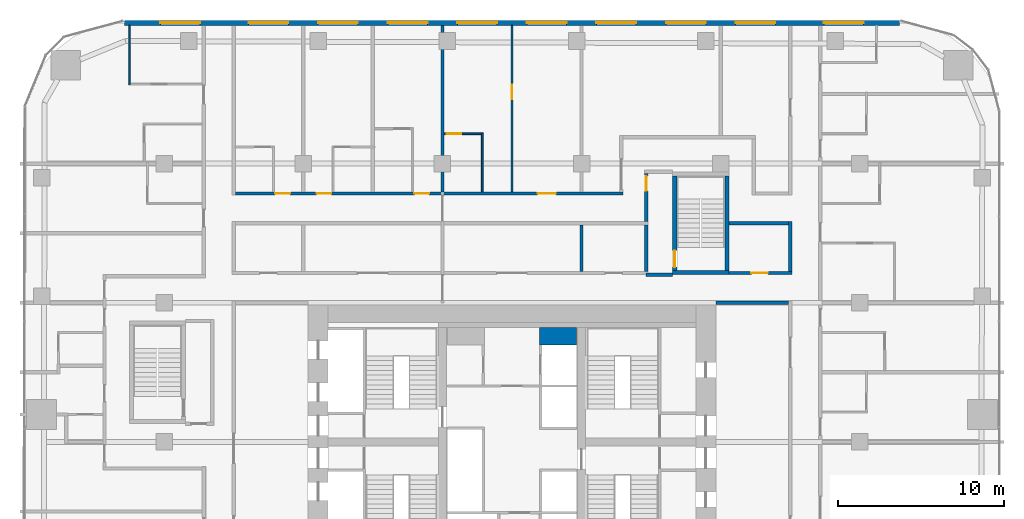
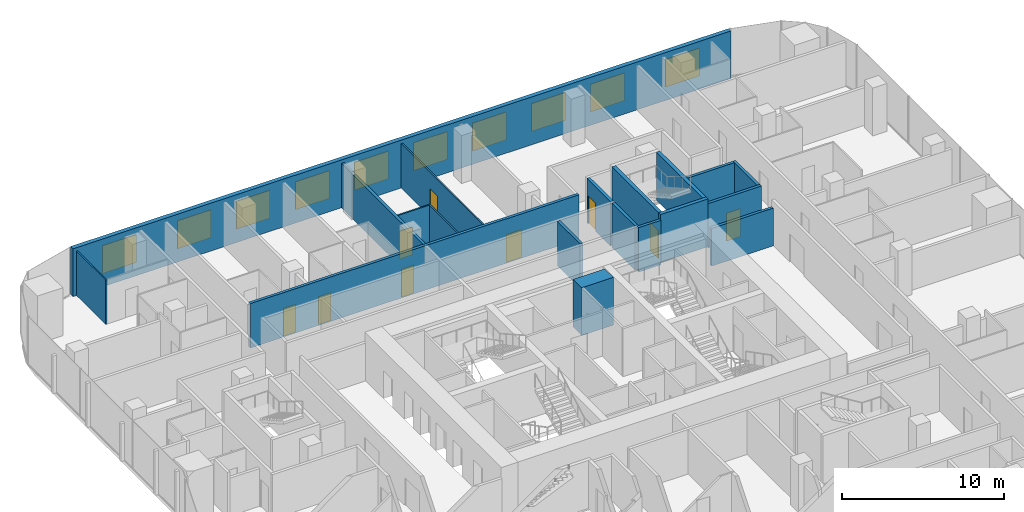
# One storey, part 22 of 26: 19 walls, 10 windows, 9 doors, 19 openings.
"""IFC4 building model written with IfcOpenShell, lengths in metres."""

from ifc_helpers import new_model, si_unit, direction, frame, frame_2d, origin, place, context, subcontext, project, spatial, rectangle, extrude, material, layer, layer_set, type_object, element, fill, save


model = new_model("IFC4")

# Units and contexts
model_context = context("Model", 3, precision=1e-05, world=origin(), true_north=direction((0.0, 1.0)))
body_context = subcontext(model_context, "Body", "Model", "MODEL_VIEW")
ifc_project = project(units=[si_unit("LENGTHUNIT", "METRE"), si_unit("AREAUNIT", "SQUARE_METRE"), si_unit("VOLUMEUNIT", "CUBIC_METRE"), si_unit("PLANEANGLEUNIT", "RADIAN"), si_unit("MASSUNIT", "GRAM", prefix="KILO")], contexts=[model_context])

# Site, building, storey
site_placement = place(None, origin())
site = spatial("IfcSite", under=ifc_project, at=site_placement, CompositionType="ELEMENT")
building_placement = place(site_placement, origin())
building = spatial("IfcBuilding", under=site, at=building_placement, Name="Marenta Gate Hotel Tower", CompositionType="ELEMENT")
storey_placement = place(building_placement, frame((0.0, 0.0, 43.699951171875)))
storey = spatial("IfcBuildingStorey", under=building, at=storey_placement, Name="L08", CompositionType="ELEMENT", Elevation=43.699951171875)

# Wall, openings, windows
ifc_material_1 = material(Name="Concrete C40 board-marked", Category="concrete")
ifc_layer_1 = layer(ifc_material_1, 0.300048828125)
ifc_layer_set_1 = layer_set([ifc_layer_1], Name="Concrete C40 board-marked")
wall_type_1 = type_object("IfcWallType", Name="Board-marked concrete wall 300 mm", PredefinedType="NOTDEFINED", material=ifc_layer_set_1)
wall_1_placement = place(storey_placement, frame((23.406005859375, 33.68994140625, 0.0), z_axis=(0.0, 0.0, 1.0), x_axis=(-1.0, 0.0, 0.0)))
wall_1 = element("IfcWall", 1, at=wall_1_placement, inside=storey, type_object=wall_type_1, Name="L08-CLD-N00", PredefinedType="NOTDEFINED", context=body_context, shape_type="SweptSolid", body=[
    extrude(rectangle(XDim=46.81201171875, YDim=0.300048828125, at=frame_2d((23.406005859375, 0.0))), origin(), (0.0, 0.0, 1.0), 3.60009765625),
])
opening_1_placement = place(wall_1_placement, frame((2.185791015625, 0.0, 0.89990234375)))
opening_1 = element("IfcOpeningElement", 2, at=opening_1_placement, cuts=wall_1, Name="Opening W1", PredefinedType="OPENING", context=body_context, shape_type="SweptSolid", body=[
    extrude(rectangle(XDim=2.39990234375, YDim=2.10009765625, at=frame_2d((1.199951171875, 1.050048828125))), frame((0.0, 0.14990234375, 0.0), z_axis=(0.0, -1.0, 0.0), x_axis=(1.0, 0.0, 0.0)), (0.0, 0.0, 1.0), 0.300048828125),
])
opening_2_placement = place(wall_1_placement, frame((7.505859375, 0.0, 0.89990234375)))
opening_2 = element("IfcOpeningElement", 3, at=opening_2_placement, cuts=wall_1, Name="Opening W1", PredefinedType="OPENING", context=body_context, shape_type="SweptSolid", body=[
    extrude(rectangle(XDim=2.39990234375, YDim=2.10009765625, at=frame_2d((1.199951171875, 1.050048828125))), frame((0.0, 0.14990234375, 0.0), z_axis=(0.0, -1.0, 0.0), x_axis=(1.0, 0.0, 0.0)), (0.0, 0.0, 1.0), 0.300048828125),
])
opening_3_placement = place(wall_1_placement, frame((11.705810546875, 0.0, 0.89990234375)))
opening_3 = element("IfcOpeningElement", 4, at=opening_3_placement, cuts=wall_1, Name="Opening W1", PredefinedType="OPENING", context=body_context, shape_type="SweptSolid", body=[
    extrude(rectangle(XDim=2.39990234375, YDim=2.10009765625, at=frame_2d((1.199951171875, 1.050048828125))), frame((0.0, 0.14990234375, 0.0), z_axis=(0.0, -1.0, 0.0), x_axis=(1.0, 0.0, 0.0)), (0.0, 0.0, 1.0), 0.300048828125),
])
opening_4_placement = place(wall_1_placement, frame((15.906005859375, 0.0, 0.89990234375)))
opening_4 = element("IfcOpeningElement", 5, at=opening_4_placement, cuts=wall_1, Name="Opening W1", PredefinedType="OPENING", context=body_context, shape_type="SweptSolid", body=[
    extrude(rectangle(XDim=2.39990234375, YDim=2.10009765625, at=frame_2d((1.199951171875, 1.050048828125))), frame((0.0, 0.14990234375, 0.0), z_axis=(0.0, -1.0, 0.0), x_axis=(1.0, 0.0, 0.0)), (0.0, 0.0, 1.0), 0.300048828125),
])
opening_5_placement = place(wall_1_placement, frame((20.10595703125, 0.0, 0.89990234375)))
opening_5 = element("IfcOpeningElement", 6, at=opening_5_placement, cuts=wall_1, Name="Opening W1", PredefinedType="OPENING", context=body_context, shape_type="SweptSolid", body=[
    extrude(rectangle(XDim=2.39990234375, YDim=2.10009765625, at=frame_2d((1.199951171875, 1.050048828125))), frame((0.0, 0.14990234375, 0.0), z_axis=(0.0, -1.0, 0.0), x_axis=(1.0, 0.0, 0.0)), (0.0, 0.0, 1.0), 0.300048828125),
])
opening_6_placement = place(wall_1_placement, frame((24.305908203125, 0.0, 0.89990234375)))
opening_6 = element("IfcOpeningElement", 7, at=opening_6_placement, cuts=wall_1, Name="Opening W1", PredefinedType="OPENING", context=body_context, shape_type="SweptSolid", body=[
    extrude(rectangle(XDim=2.39990234375, YDim=2.10009765625, at=frame_2d((1.199951171875, 1.050048828125))), frame((0.0, 0.14990234375, 0.0), z_axis=(0.0, -1.0, 0.0), x_axis=(1.0, 0.0, 0.0)), (0.0, 0.0, 1.0), 0.300048828125),
])
opening_7_placement = place(wall_1_placement, frame((28.505859375, 0.0, 0.89990234375)))
opening_7 = element("IfcOpeningElement", 8, at=opening_7_placement, cuts=wall_1, Name="Opening W1", PredefinedType="OPENING", context=body_context, shape_type="SweptSolid", body=[
    extrude(rectangle(XDim=2.39990234375, YDim=2.10009765625, at=frame_2d((1.199951171875, 1.050048828125))), frame((0.0, 0.14990234375, 0.0), z_axis=(0.0, -1.0, 0.0), x_axis=(1.0, 0.0, 0.0)), (0.0, 0.0, 1.0), 0.300048828125),
])
opening_8_placement = place(wall_1_placement, frame((32.705810546875, 0.0, 0.89990234375)))
opening_8 = element("IfcOpeningElement", 9, at=opening_8_placement, cuts=wall_1, Name="Opening W1", PredefinedType="OPENING", context=body_context, shape_type="SweptSolid", body=[
    extrude(rectangle(XDim=2.39990234375, YDim=2.10009765625, at=frame_2d((1.199951171875, 1.050048828125))), frame((0.0, 0.14990234375, 0.0), z_axis=(0.0, -1.0, 0.0), x_axis=(1.0, 0.0, 0.0)), (0.0, 0.0, 1.0), 0.300048828125),
])
opening_9_placement = place(wall_1_placement, frame((36.906005859375, 0.0, 0.89990234375)))
opening_9 = element("IfcOpeningElement", 10, at=opening_9_placement, cuts=wall_1, Name="Opening W1", PredefinedType="OPENING", context=body_context, shape_type="SweptSolid", body=[
    extrude(rectangle(XDim=2.39990234375, YDim=2.10009765625, at=frame_2d((1.199951171875, 1.050048828125))), frame((0.0, 0.14990234375, 0.0), z_axis=(0.0, -1.0, 0.0), x_axis=(1.0, 0.0, 0.0)), (0.0, 0.0, 1.0), 0.300048828125),
])
opening_10_placement = place(wall_1_placement, frame((42.225830078125, 0.0, 0.89990234375)))
opening_10 = element("IfcOpeningElement", 11, at=opening_10_placement, cuts=wall_1, Name="Opening W1", PredefinedType="OPENING", context=body_context, shape_type="SweptSolid", body=[
    extrude(rectangle(XDim=2.39990234375, YDim=2.10009765625, at=frame_2d((1.199951171875, 1.050048828125))), frame((0.0, 0.14990234375, 0.0), z_axis=(0.0, -1.0, 0.0), x_axis=(1.0, 0.0, 0.0)), (0.0, 0.0, 1.0), 0.300048828125),
])
ifc_material_2 = material(Name="Tinted insulated glass in bronze anodised frame", Category="glass")
window_type = type_object("IfcWindowType", Name="Window W1 2400x2100 bronze frame", PartitioningType="SINGLE_PANEL", PredefinedType="WINDOW", material=ifc_material_2)
window_1_placement = place(opening_1_placement, origin())
window_1 = element("IfcWindow", 12, at=window_1_placement, inside=storey, type_object=window_type, Name="Window W1", OverallHeight=2.10009765625, OverallWidth=2.39990234375, PartitioningType="SINGLE_PANEL", PredefinedType="WINDOW", context=body_context, shape_type="SweptSolid", body=[
    extrude(rectangle(XDim=2.39990234375, YDim=2.10009765625, at=frame_2d((1.199951171875, 1.050048828125))), frame((0.0, 0.030029296875, 0.0), z_axis=(0.0, -1.0, 0.0), x_axis=(1.0, 0.0, 0.0)), (0.0, 0.0, 1.0), 0.06005859375),
])
fill(opening_1, window_1)
window_2_placement = place(opening_2_placement, origin())
window_2 = element("IfcWindow", 13, at=window_2_placement, inside=storey, type_object=window_type, Name="Window W1", OverallHeight=2.10009765625, OverallWidth=2.39990234375, PartitioningType="SINGLE_PANEL", PredefinedType="WINDOW", context=body_context, shape_type="SweptSolid", body=[
    extrude(rectangle(XDim=2.39990234375, YDim=2.10009765625, at=frame_2d((1.199951171875, 1.050048828125))), frame((0.0, 0.030029296875, 0.0), z_axis=(0.0, -1.0, 0.0), x_axis=(1.0, 0.0, 0.0)), (0.0, 0.0, 1.0), 0.06005859375),
])
fill(opening_2, window_2)
window_3_placement = place(opening_3_placement, origin())
window_3 = element("IfcWindow", 14, at=window_3_placement, inside=storey, type_object=window_type, Name="Window W1", OverallHeight=2.10009765625, OverallWidth=2.39990234375, PartitioningType="SINGLE_PANEL", PredefinedType="WINDOW", context=body_context, shape_type="SweptSolid", body=[
    extrude(rectangle(XDim=2.39990234375, YDim=2.10009765625, at=frame_2d((1.199951171875, 1.050048828125))), frame((0.0, 0.030029296875, 0.0), z_axis=(0.0, -1.0, 0.0), x_axis=(1.0, 0.0, 0.0)), (0.0, 0.0, 1.0), 0.06005859375),
])
fill(opening_3, window_3)
window_4_placement = place(opening_4_placement, origin())
window_4 = element("IfcWindow", 15, at=window_4_placement, inside=storey, type_object=window_type, Name="Window W1", OverallHeight=2.10009765625, OverallWidth=2.39990234375, PartitioningType="SINGLE_PANEL", PredefinedType="WINDOW", context=body_context, shape_type="SweptSolid", body=[
    extrude(rectangle(XDim=2.39990234375, YDim=2.10009765625, at=frame_2d((1.199951171875, 1.050048828125))), frame((0.0, 0.030029296875, 0.0), z_axis=(0.0, -1.0, 0.0), x_axis=(1.0, 0.0, 0.0)), (0.0, 0.0, 1.0), 0.06005859375),
])
fill(opening_4, window_4)
window_5_placement = place(opening_5_placement, origin())
window_5 = element("IfcWindow", 16, at=window_5_placement, inside=storey, type_object=window_type, Name="Window W1", OverallHeight=2.10009765625, OverallWidth=2.39990234375, PartitioningType="SINGLE_PANEL", PredefinedType="WINDOW", context=body_context, shape_type="SweptSolid", body=[
    extrude(rectangle(XDim=2.39990234375, YDim=2.10009765625, at=frame_2d((1.199951171875, 1.050048828125))), frame((0.0, 0.030029296875, 0.0), z_axis=(0.0, -1.0, 0.0), x_axis=(1.0, 0.0, 0.0)), (0.0, 0.0, 1.0), 0.06005859375),
])
fill(opening_5, window_5)
window_6_placement = place(opening_6_placement, origin())
window_6 = element("IfcWindow", 17, at=window_6_placement, inside=storey, type_object=window_type, Name="Window W1", OverallHeight=2.10009765625, OverallWidth=2.39990234375, PartitioningType="SINGLE_PANEL", PredefinedType="WINDOW", context=body_context, shape_type="SweptSolid", body=[
    extrude(rectangle(XDim=2.39990234375, YDim=2.10009765625, at=frame_2d((1.199951171875, 1.050048828125))), frame((0.0, 0.030029296875, 0.0), z_axis=(0.0, -1.0, 0.0), x_axis=(1.0, 0.0, 0.0)), (0.0, 0.0, 1.0), 0.06005859375),
])
fill(opening_6, window_6)
window_7_placement = place(opening_7_placement, origin())
window_7 = element("IfcWindow", 18, at=window_7_placement, inside=storey, type_object=window_type, Name="Window W1", OverallHeight=2.10009765625, OverallWidth=2.39990234375, PartitioningType="SINGLE_PANEL", PredefinedType="WINDOW", context=body_context, shape_type="SweptSolid", body=[
    extrude(rectangle(XDim=2.39990234375, YDim=2.10009765625, at=frame_2d((1.199951171875, 1.050048828125))), frame((0.0, 0.030029296875, 0.0), z_axis=(0.0, -1.0, 0.0), x_axis=(1.0, 0.0, 0.0)), (0.0, 0.0, 1.0), 0.06005859375),
])
fill(opening_7, window_7)
window_8_placement = place(opening_8_placement, origin())
window_8 = element("IfcWindow", 19, at=window_8_placement, inside=storey, type_object=window_type, Name="Window W1", OverallHeight=2.10009765625, OverallWidth=2.39990234375, PartitioningType="SINGLE_PANEL", PredefinedType="WINDOW", context=body_context, shape_type="SweptSolid", body=[
    extrude(rectangle(XDim=2.39990234375, YDim=2.10009765625, at=frame_2d((1.199951171875, 1.050048828125))), frame((0.0, 0.030029296875, 0.0), z_axis=(0.0, -1.0, 0.0), x_axis=(1.0, 0.0, 0.0)), (0.0, 0.0, 1.0), 0.06005859375),
])
fill(opening_8, window_8)
window_9_placement = place(opening_9_placement, origin())
window_9 = element("IfcWindow", 20, at=window_9_placement, inside=storey, type_object=window_type, Name="Window W1", OverallHeight=2.10009765625, OverallWidth=2.39990234375, PartitioningType="SINGLE_PANEL", PredefinedType="WINDOW", context=body_context, shape_type="SweptSolid", body=[
    extrude(rectangle(XDim=2.39990234375, YDim=2.10009765625, at=frame_2d((1.199951171875, 1.050048828125))), frame((0.0, 0.030029296875, 0.0), z_axis=(0.0, -1.0, 0.0), x_axis=(1.0, 0.0, 0.0)), (0.0, 0.0, 1.0), 0.06005859375),
])
fill(opening_9, window_9)
window_10_placement = place(opening_10_placement, origin())
window_10 = element("IfcWindow", 21, at=window_10_placement, inside=storey, type_object=window_type, Name="Window W1", OverallHeight=2.10009765625, OverallWidth=2.39990234375, PartitioningType="SINGLE_PANEL", PredefinedType="WINDOW", context=body_context, shape_type="SweptSolid", body=[
    extrude(rectangle(XDim=2.39990234375, YDim=2.10009765625, at=frame_2d((1.199951171875, 1.050048828125))), frame((0.0, 0.030029296875, 0.0), z_axis=(0.0, -1.0, 0.0), x_axis=(1.0, 0.0, 0.0)), (0.0, 0.0, 1.0), 0.06005859375),
])
fill(opening_10, window_10)

# Walls
ifc_material_3 = material(Name="Concrete blockwork", Category="masonry")
ifc_layer_2 = layer(ifc_material_3, 0.199951171875)
ifc_layer_set_2 = layer_set([ifc_layer_2], Name="Concrete blockwork")
wall_type_2 = type_object("IfcWallType", Name="Compartment wall 200 REI 180", PredefinedType="PARTITIONING", material=ifc_layer_set_2)
wall_2_placement = place(storey_placement, frame((-4.199951171875, 23.5, 0.0), z_axis=(0.0, 0.0, 1.0), x_axis=(0.0, 1.0, 0.0)))
element("IfcWall", 22, at=wall_2_placement, inside=storey, type_object=wall_type_2, Name="L08-PTN-W079", PredefinedType="PARTITIONING", context=body_context, shape_type="SweptSolid", body=[
    extrude(rectangle(XDim=10.0400390625, YDim=0.199951171875, at=frame_2d((5.02001953125, 0.0))), origin(), (0.0, 0.0, 1.0), 3.340087890625),
])
ifc_material_4 = material(Name="Concrete blockwork", Category="masonry")
ifc_layer_3 = layer(ifc_material_4, 0.199951171875)
ifc_layer_set_3 = layer_set([ifc_layer_3], Name="Concrete blockwork")
wall_type_3 = type_object("IfcWallType", Name="Core boundary wall 200 REI 180", PredefinedType="PARTITIONING", material=ifc_layer_set_3)
wall_3_placement = place(storey_placement, frame((12.300048828125, 16.800048828125, 0.0), z_axis=(0.0, 0.0, 1.0), x_axis=(1.0, 0.0, 0.0)))
element("IfcWall", 23, at=wall_3_placement, inside=storey, type_object=wall_type_3, Name="L08-CP-EW-EN", PredefinedType="PARTITIONING", context=body_context, shape_type="SweptSolid", body=[
    extrude(rectangle(XDim=4.39990234375, YDim=0.199951171875, at=frame_2d((2.199951171875, 0.0))), origin(), (0.0, 0.0, 1.0), 2.840087890625),
])
ifc_material_5 = material(Name="Concrete C40", Category="concrete")
ifc_layer_4 = layer(ifc_material_5, 1.050048828125)
ifc_layer_set_4 = layer_set([ifc_layer_4], Name="Concrete C40")
wall_type_4 = type_object("IfcWallType", Name="Core shaft wall 1050 REI 180", PredefinedType="SHEAR", material=ifc_layer_set_4)
wall_4_placement = place(storey_placement, frame((1.64990234375, 14.77490234375, 0.0), z_axis=(0.0, 0.0, 1.0), x_axis=(1.0, 0.0, 0.0)))
element("IfcWall", 24, at=wall_4_placement, inside=storey, type_object=wall_type_4, Name="L08-SHF-CE-N-top", PredefinedType="SHEAR", context=body_context, shape_type="SweptSolid", body=[
    extrude(rectangle(XDim=2.25, YDim=1.050048828125, at=frame_2d((1.125, 0.0))), origin(), (0.0, 0.0, 1.0), 3.60009765625),
])
ifc_material_6 = material(Name="Concrete C40", Category="concrete")
ifc_layer_5 = layer(ifc_material_6, 0.25)
ifc_layer_set_5 = layer_set([ifc_layer_5], Name="Concrete C40")
wall_type_5 = type_object("IfcWallType", Name="Remote stair enclosure wall 250 REI 180", PredefinedType="SHEAR", material=ifc_layer_set_5)
wall_5_placement = place(storey_placement, frame((9.699951171875, 18.625, 0.10009765625), z_axis=(0.0, 0.0, 1.0), x_axis=(1.0, 0.0, 0.0)))
element("IfcWall", 25, at=wall_5_placement, inside=storey, type_object=wall_type_5, Name="L08-RS-Z1-4-W1", PredefinedType="SHEAR", context=body_context, shape_type="SweptSolid", body=[
    extrude(rectangle(XDim=3.400146484375, YDim=0.25, at=frame_2d((1.7001953125, 0.0))), origin(), (0.0, 0.0, 1.0), 3.599853515625),
])

# Wall, opening, door
wall_6_placement = place(storey_placement, frame((9.824951171875, 18.75, 0.10009765625), z_axis=(0.0, 0.0, 1.0), x_axis=(0.0, 1.0, 0.0)))
wall_6 = element("IfcWall", 26, at=wall_6_placement, inside=storey, type_object=wall_type_5, Name="L08-RS-Z1-4-W3", PredefinedType="SHEAR", context=body_context, shape_type="SweptSolid", body=[
    extrude(rectangle(XDim=5.699951171875, YDim=0.25, at=frame_2d((2.85009765625, 0.0))), origin(), (0.0, 0.0, 1.0), 3.599853515625),
])
opening_11_placement = place(wall_6_placement, frame((0.199951171875, 0.0, 0.0)))
opening_11 = element("IfcOpeningElement", 27, at=opening_11_placement, cuts=wall_6, Name="Opening VD", PredefinedType="OPENING", context=body_context, shape_type="SweptSolid", body=[
    extrude(rectangle(XDim=1.0, YDim=2.10009765625, at=frame_2d((0.5, 1.050048828125))), frame((0.0, 0.125, 0.0), z_axis=(0.0, -1.0, 0.0), x_axis=(1.0, 0.0, 0.0)), (0.0, 0.0, 1.0), 0.25),
])
ifc_material_7 = material(Name="Steel", Category="steel")
door_type_1 = type_object("IfcDoorType", Name="Stair vestibule door 1000x2100 FD60", OperationType="SINGLE_SWING_LEFT", PredefinedType="DOOR", material=ifc_material_7)
door_1_placement = place(opening_11_placement, origin())
door_1 = element("IfcDoor", 28, at=door_1_placement, inside=storey, type_object=door_type_1, Name="VD", OperationType="SINGLE_SWING_LEFT", OverallHeight=2.10009765625, OverallWidth=1.0, PredefinedType="DOOR", context=body_context, shape_type="SweptSolid", body=[
    extrude(rectangle(XDim=1.0, YDim=2.10009765625, at=frame_2d((0.5, 1.050048828125))), frame((0.0, 0.02490234375, 0.0), z_axis=(0.0, -1.0, 0.0), x_axis=(1.0, 0.0, 0.0)), (0.0, 0.0, 1.0), 0.050048828125),
])
fill(opening_11, door_1)

# Walls
wall_7_placement = place(storey_placement, frame((12.97509765625, 18.75, 0.10009765625), z_axis=(0.0, 0.0, 1.0), x_axis=(0.0, 1.0, 0.0)))
element("IfcWall", 29, at=wall_7_placement, inside=storey, type_object=wall_type_5, Name="L08-RS-Z1-4-W4", PredefinedType="SHEAR", context=body_context, shape_type="SweptSolid", body=[
    extrude(rectangle(XDim=5.699951171875, YDim=0.25, at=frame_2d((2.85009765625, 0.0))), origin(), (0.0, 0.0, 1.0), 3.599853515625),
])
ifc_material_8 = material(Name="Gypsum board on steel stud", Category="steel")
ifc_layer_6 = layer(ifc_material_8, 0.199951171875)
ifc_layer_set_6 = layer_set([ifc_layer_6], Name="Gypsum board on steel stud")
wall_type_6 = type_object("IfcWallType", Name="Room corridor wall 200 EI 60", PredefinedType="PARTITIONING", material=ifc_layer_set_6)
wall_8_placement = place(storey_placement, frame((16.800048828125, 18.699951171875, 0.0), z_axis=(0.0, 0.0, 1.0), x_axis=(0.0, 1.0, 0.0)))
element("IfcWall", 30, at=wall_8_placement, inside=storey, type_object=wall_type_6, Name="L08-PTN-W015", PredefinedType="PARTITIONING", context=body_context, shape_type="SweptSolid", body=[
    extrude(rectangle(XDim=3.0, YDim=0.199951171875, at=frame_2d((1.5, 0.0))), origin(), (0.0, 0.0, 1.0), 3.340087890625),
])

# Wall, opening, door
wall_9_placement = place(storey_placement, frame((13.10009765625, 18.60009765625, 0.0), z_axis=(0.0, 0.0, 1.0), x_axis=(1.0, 0.0, 0.0)))
wall_9 = element("IfcWall", 31, at=wall_9_placement, inside=storey, type_object=wall_type_6, Name="L08-PTN-W122", PredefinedType="PARTITIONING", context=body_context, shape_type="SweptSolid", body=[
    extrude(rectangle(XDim=3.7998046875, YDim=0.199951171875, at=frame_2d((1.89990234375, 0.0))), origin(), (0.0, 0.0, 1.0), 3.340087890625),
])
opening_12_placement = place(wall_9_placement, frame((1.35009765625, 0.0, 0.0)))
opening_12 = element("IfcOpeningElement", 32, at=opening_12_placement, cuts=wall_9, Name="Opening G02-05", PredefinedType="OPENING", context=body_context, shape_type="SweptSolid", body=[
    extrude(rectangle(XDim=1.0, YDim=2.10009765625, at=frame_2d((0.5, 1.050048828125))), frame((0.0, 0.10009765625, 0.0), z_axis=(0.0, -1.0, 0.0), x_axis=(1.0, 0.0, 0.0)), (0.0, 0.0, 1.0), 0.199951171875),
])
ifc_material_9 = material(Name="Timber door leaf", Category="wood")
door_type_2 = type_object("IfcDoorType", Name="Room amenity door 1000x2100 EI 30", OperationType="NOTDEFINED", PredefinedType="DOOR", material=ifc_material_9)
door_2_placement = place(opening_12_placement, origin())
door_2 = element("IfcDoor", 33, at=door_2_placement, inside=storey, type_object=door_type_2, Name="L08-PD-D005", OperationType="SINGLE_SWING_LEFT", OverallHeight=2.10009765625, OverallWidth=1.0, PredefinedType="DOOR", context=body_context, shape_type="SweptSolid", body=[
    extrude(rectangle(XDim=1.0, YDim=2.10009765625, at=frame_2d((0.5, 1.050048828125))), frame((0.0, 0.02490234375, 0.0), z_axis=(0.0, -1.0, 0.0), x_axis=(1.0, 0.0, 0.0)), (0.0, 0.0, 1.0), 0.050048828125),
])
fill(opening_12, door_2)

# Wall
wall_10_placement = place(storey_placement, frame((13.10009765625, 21.60009765625, 0.0), z_axis=(0.0, 0.0, 1.0), x_axis=(1.0, 0.0, 0.0)))
element("IfcWall", 34, at=wall_10_placement, inside=storey, type_object=wall_type_6, Name="L08-PTN-W127", PredefinedType="PARTITIONING", context=body_context, shape_type="SweptSolid", body=[
    extrude(rectangle(XDim=3.599853515625, YDim=0.199951171875, at=frame_2d((1.7998046875, 0.0))), origin(), (0.0, 0.0, 1.0), 3.340087890625),
])

# Wall, openings, doors
wall_11_placement = place(storey_placement, frame((-16.699951171875, 23.39990234375, 0.0), z_axis=(0.0, 0.0, 1.0), x_axis=(1.0, 0.0, 0.0)))
wall_11 = element("IfcWall", 35, at=wall_11_placement, inside=storey, type_object=wall_type_6, Name="L08-PTN-W137", PredefinedType="PARTITIONING", context=body_context, shape_type="SweptSolid", body=[
    extrude(rectangle(XDim=23.39990234375, YDim=0.199951171875, at=frame_2d((11.699951171875, 0.0))), origin(), (0.0, 0.0, 1.0), 3.340087890625),
])
opening_13_placement = place(wall_11_placement, frame((2.39990234375, 0.0, 0.0)))
opening_13 = element("IfcOpeningElement", 36, at=opening_13_placement, cuts=wall_11, Name="Opening G02-30", PredefinedType="OPENING", context=body_context, shape_type="SweptSolid", body=[
    extrude(rectangle(XDim=0.89990234375, YDim=2.10009765625, at=frame_2d((0.449951171875, 1.050048828125))), frame((0.0, 0.10009765625, 0.0), z_axis=(0.0, -1.0, 0.0), x_axis=(1.0, 0.0, 0.0)), (0.0, 0.0, 1.0), 0.199951171875),
])
opening_14_placement = place(wall_11_placement, frame((4.89990234375, 0.0, 0.0)))
opening_14 = element("IfcOpeningElement", 37, at=opening_14_placement, cuts=wall_11, Name="Opening G02-32", PredefinedType="OPENING", context=body_context, shape_type="SweptSolid", body=[
    extrude(rectangle(XDim=0.89990234375, YDim=2.10009765625, at=frame_2d((0.449951171875, 1.050048828125))), frame((0.0, 0.10009765625, 0.0), z_axis=(0.0, -1.0, 0.0), x_axis=(1.0, 0.0, 0.0)), (0.0, 0.0, 1.0), 0.199951171875),
])
opening_15_placement = place(wall_11_placement, frame((10.800048828125, 0.0, 0.0)))
opening_15 = element("IfcOpeningElement", 38, at=opening_15_placement, cuts=wall_11, Name="Opening G02-34", PredefinedType="OPENING", context=body_context, shape_type="SweptSolid", body=[
    extrude(rectangle(XDim=0.89990234375, YDim=2.10009765625, at=frame_2d((0.449951171875, 1.050048828125))), frame((0.0, 0.10009765625, 0.0), z_axis=(0.0, -1.0, 0.0), x_axis=(1.0, 0.0, 0.0)), (0.0, 0.0, 1.0), 0.199951171875),
])
opening_16_placement = place(wall_11_placement, frame((18.25, 0.0, 0.0)))
opening_16 = element("IfcOpeningElement", 39, at=opening_16_placement, cuts=wall_11, Name="Opening G02-36", PredefinedType="OPENING", context=body_context, shape_type="SweptSolid", body=[
    extrude(rectangle(XDim=1.10009765625, YDim=2.10009765625, at=frame_2d((0.550048828125, 1.050048828125))), frame((0.0, 0.10009765625, 0.0), z_axis=(0.0, -1.0, 0.0), x_axis=(1.0, 0.0, 0.0)), (0.0, 0.0, 1.0), 0.199951171875),
])
ifc_material_10 = material(Name="Timber door leaf", Category="wood")
door_type_3 = type_object("IfcDoorType", Name="Guest room door 1100x2100 EI 30", OperationType="NOTDEFINED", PredefinedType="DOOR", material=ifc_material_10)
door_3_placement = place(opening_16_placement, origin())
door_3 = element("IfcDoor", 40, at=door_3_placement, inside=storey, type_object=door_type_3, Name="L08-PD-D036", OperationType="SINGLE_SWING_LEFT", OverallHeight=2.10009765625, OverallWidth=1.10009765625, PredefinedType="DOOR", context=body_context, shape_type="SweptSolid", body=[
    extrude(rectangle(XDim=1.10009765625, YDim=2.10009765625, at=frame_2d((0.550048828125, 1.050048828125))), frame((0.0, 0.02490234375, 0.0), z_axis=(0.0, -1.0, 0.0), x_axis=(1.0, 0.0, 0.0)), (0.0, 0.0, 1.0), 0.050048828125),
])
fill(opening_16, door_3)
ifc_material_11 = material(Name="Timber door leaf", Category="wood")
door_type_4 = type_object("IfcDoorType", Name="Guest room door 900x2100 EI 30", OperationType="NOTDEFINED", PredefinedType="DOOR", material=ifc_material_11)
door_4_placement = place(opening_13_placement, origin())
door_4 = element("IfcDoor", 41, at=door_4_placement, inside=storey, type_object=door_type_4, Name="L08-PD-D030", OperationType="SINGLE_SWING_LEFT", OverallHeight=2.10009765625, OverallWidth=0.89990234375, PredefinedType="DOOR", context=body_context, shape_type="SweptSolid", body=[
    extrude(rectangle(XDim=0.89990234375, YDim=2.10009765625, at=frame_2d((0.449951171875, 1.050048828125))), frame((0.0, 0.02490234375, 0.0), z_axis=(0.0, -1.0, 0.0), x_axis=(1.0, 0.0, 0.0)), (0.0, 0.0, 1.0), 0.050048828125),
])
fill(opening_13, door_4)
door_5_placement = place(opening_14_placement, origin())
door_5 = element("IfcDoor", 42, at=door_5_placement, inside=storey, type_object=door_type_4, Name="L08-PD-D032", OperationType="SINGLE_SWING_RIGHT", OverallHeight=2.10009765625, OverallWidth=0.89990234375, PredefinedType="DOOR", context=body_context, shape_type="SweptSolid", body=[
    extrude(rectangle(XDim=0.89990234375, YDim=2.10009765625, at=frame_2d((0.449951171875, 1.050048828125))), frame((0.0, 0.02490234375, 0.0), z_axis=(0.0, -1.0, 0.0), x_axis=(1.0, 0.0, 0.0)), (0.0, 0.0, 1.0), 0.050048828125),
])
fill(opening_14, door_5)
door_6_placement = place(opening_15_placement, origin())
door_6 = element("IfcDoor", 43, at=door_6_placement, inside=storey, type_object=door_type_4, Name="L08-PD-D034", OperationType="SINGLE_SWING_LEFT", OverallHeight=2.10009765625, OverallWidth=0.89990234375, PredefinedType="DOOR", context=body_context, shape_type="SweptSolid", body=[
    extrude(rectangle(XDim=0.89990234375, YDim=2.10009765625, at=frame_2d((0.449951171875, 1.050048828125))), frame((0.0, 0.02490234375, 0.0), z_axis=(0.0, -1.0, 0.0), x_axis=(1.0, 0.0, 0.0)), (0.0, 0.0, 1.0), 0.050048828125),
])
fill(opening_15, door_6)

# Wall, opening, door
ifc_material_12 = material(Name="Concrete blockwork", Category="masonry")
ifc_layer_7 = layer(ifc_material_12, 0.199951171875)
ifc_layer_set_7 = layer_set([ifc_layer_7], Name="Concrete blockwork")
wall_type_7 = type_object("IfcWallType", Name="Room corridor wall 200 REI 180", PredefinedType="PARTITIONING", material=ifc_layer_set_7)
wall_12_placement = place(storey_placement, frame((8.10009765625, 21.699951171875, 0.0), z_axis=(0.0, 0.0, 1.0), x_axis=(0.0, 1.0, 0.0)))
wall_12 = element("IfcWall", 44, at=wall_12_placement, inside=storey, type_object=wall_type_7, Name="L08-PTN-W046", PredefinedType="PARTITIONING", context=body_context, shape_type="SweptSolid", body=[
    extrude(rectangle(XDim=2.900146484375, YDim=0.199951171875, at=frame_2d((1.4501953125, 0.0))), origin(), (0.0, 0.0, 1.0), 3.340087890625),
])
opening_17_placement = place(wall_12_placement, frame((1.85009765625, 0.0, 0.0)))
opening_17 = element("IfcOpeningElement", 45, at=opening_17_placement, cuts=wall_12, Name="Opening G02-71", PredefinedType="OPENING", context=body_context, shape_type="SweptSolid", body=[
    extrude(rectangle(XDim=0.89990234375, YDim=2.10009765625, at=frame_2d((0.449951171875, 1.050048828125))), frame((0.0, 0.10009765625, 0.0), z_axis=(0.0, -1.0, 0.0), x_axis=(1.0, 0.0, 0.0)), (0.0, 0.0, 1.0), 0.199951171875),
])
ifc_material_13 = material(Name="Hollow steel door set", Category="steel")
door_type_5 = type_object("IfcDoorType", Name="Stair vestibule door 900x2100 EI 60", OperationType="NOTDEFINED", PredefinedType="DOOR", material=ifc_material_13)
door_7_placement = place(opening_17_placement, origin())
door_7 = element("IfcDoor", 46, at=door_7_placement, inside=storey, type_object=door_type_5, Name="L08-PD-D071", OperationType="SINGLE_SWING_LEFT", OverallHeight=2.10009765625, OverallWidth=0.89990234375, PredefinedType="DOOR", context=body_context, shape_type="SweptSolid", body=[
    extrude(rectangle(XDim=0.89990234375, YDim=2.10009765625, at=frame_2d((0.449951171875, 1.050048828125))), frame((0.0, 0.02490234375, 0.0), z_axis=(0.0, -1.0, 0.0), x_axis=(1.0, 0.0, 0.0)), (0.0, 0.0, 1.0), 0.050048828125),
])
fill(opening_17, door_7)

# Wall
wall_13_placement = place(storey_placement, frame((8.10009765625, 18.5, 0.0), z_axis=(0.0, 0.0, 1.0), x_axis=(1.0, 0.0, 0.0)))
element("IfcWall", 47, at=wall_13_placement, inside=storey, type_object=wall_type_7, Name="L08-PTN-W118", PredefinedType="PARTITIONING", context=body_context, shape_type="SweptSolid", body=[
    extrude(rectangle(XDim=1.599853515625, YDim=0.199951171875, at=frame_2d((0.7998046875, 0.0))), origin(), (0.0, 0.0, 1.0), 3.340087890625),
])

# Wall, opening, door
ifc_material_14 = material(Name="Gypsum board on steel stud", Category="steel")
ifc_layer_8 = layer(ifc_material_14, 0.10009765625)
ifc_layer_set_8 = layer_set([ifc_layer_8], Name="Gypsum board on steel stud")
wall_type_8 = type_object("IfcWallType", Name="Room partition 100", PredefinedType="PARTITIONING", material=ifc_layer_set_8)
wall_14_placement = place(storey_placement, frame((0.0, 23.5, 0.0), z_axis=(0.0, 0.0, 1.0), x_axis=(0.0, 1.0, 0.0)))
wall_14 = element("IfcWall", 48, at=wall_14_placement, inside=storey, type_object=wall_type_8, Name="L08-PTN-W071", PredefinedType="PARTITIONING", context=body_context, shape_type="SweptSolid", body=[
    extrude(rectangle(XDim=10.0400390625, YDim=0.10009765625, at=frame_2d((5.02001953125, 0.0))), origin(), (0.0, 0.0, 1.0), 3.340087890625),
])
opening_18_placement = place(wall_14_placement, frame((5.570068359375, 0.0, 0.0)))
opening_18 = element("IfcOpeningElement", 49, at=opening_18_placement, cuts=wall_14, Name="Opening G02-37", PredefinedType="OPENING", context=body_context, shape_type="SweptSolid", body=[
    extrude(rectangle(XDim=0.89990234375, YDim=2.10009765625, at=frame_2d((0.449951171875, 1.050048828125))), frame((0.0, 0.050048828125, 0.0), z_axis=(0.0, -1.0, 0.0), x_axis=(1.0, 0.0, 0.0)), (0.0, 0.0, 1.0), 0.10009765625),
])
ifc_material_15 = material(Name="Timber door leaf", Category="wood")
door_type_6 = type_object("IfcDoorType", Name="Room inner door 900x2100", OperationType="NOTDEFINED", PredefinedType="DOOR", material=ifc_material_15)
door_8_placement = place(opening_18_placement, origin())
door_8 = element("IfcDoor", 50, at=door_8_placement, inside=storey, type_object=door_type_6, Name="L08-PD-D037", OperationType="SINGLE_SWING_LEFT", OverallHeight=2.10009765625, OverallWidth=0.89990234375, PredefinedType="DOOR", context=body_context, shape_type="SweptSolid", body=[
    extrude(rectangle(XDim=0.89990234375, YDim=2.10009765625, at=frame_2d((0.449951171875, 1.050048828125))), frame((0.0, 0.02490234375, 0.0), z_axis=(0.0, -1.0, 0.0), x_axis=(1.0, 0.0, 0.0)), (0.0, 0.0, 1.0), 0.050048828125),
])
fill(opening_18, door_8)

# Walls
wall_15_placement = place(storey_placement, frame((-1.800048828125, 23.5, 0.0), z_axis=(0.0, 0.0, 1.0), x_axis=(0.0, 1.0, 0.0)))
element("IfcWall", 51, at=wall_15_placement, inside=storey, type_object=wall_type_8, Name="L08-PTN-W074", PredefinedType="PARTITIONING", context=body_context, shape_type="SweptSolid", body=[
    extrude(rectangle(XDim=3.550048828125, YDim=0.10009765625, at=frame_2d((1.77490234375, 0.0))), origin(), (0.0, 0.0, 1.0), 3.340087890625),
])
wall_16_placement = place(storey_placement, frame((-23.10009765625, 29.949951171875, 0.0), z_axis=(0.0, 0.0, 1.0), x_axis=(0.0, 1.0, 0.0)))
element("IfcWall", 52, at=wall_16_placement, inside=storey, type_object=wall_type_8, Name="L08-PTN-W136", PredefinedType="PARTITIONING", context=body_context, shape_type="SweptSolid", body=[
    extrude(rectangle(XDim=3.590087890625, YDim=0.10009765625, at=frame_2d((1.794921875, 0.0))), origin(), (0.0, 0.0, 1.0), 3.340087890625),
])

# Wall, opening, door
wall_17_placement = place(storey_placement, frame((-4.10009765625, 27.0, 0.0), z_axis=(0.0, 0.0, 1.0), x_axis=(1.0, 0.0, 0.0)))
wall_17 = element("IfcWall", 53, at=wall_17_placement, inside=storey, type_object=wall_type_8, Name="L08-PTN-W147", PredefinedType="PARTITIONING", context=body_context, shape_type="SweptSolid", body=[
    extrude(rectangle(XDim=2.25, YDim=0.10009765625, at=frame_2d((1.125, 0.0))), origin(), (0.0, 0.0, 1.0), 3.340087890625),
])
opening_19_placement = place(wall_17_placement, frame((0.14990234375, 0.0, 0.0)))
opening_19 = element("IfcOpeningElement", 54, at=opening_19_placement, cuts=wall_17, Name="Opening G02-38", PredefinedType="OPENING", context=body_context, shape_type="SweptSolid", body=[
    extrude(rectangle(XDim=0.89990234375, YDim=2.10009765625, at=frame_2d((0.449951171875, 1.050048828125))), frame((0.0, 0.050048828125, 0.0), z_axis=(0.0, -1.0, 0.0), x_axis=(1.0, 0.0, 0.0)), (0.0, 0.0, 1.0), 0.10009765625),
])
ifc_material_16 = material(Name="Timber door leaf", Category="wood")
door_type_7 = type_object("IfcDoorType", Name="Guest bathroom door 900x2100", OperationType="NOTDEFINED", PredefinedType="DOOR", material=ifc_material_16)
door_9_placement = place(opening_19_placement, origin())
door_9 = element("IfcDoor", 55, at=door_9_placement, inside=storey, type_object=door_type_7, Name="L08-PD-D038", OperationType="SINGLE_SWING_RIGHT", OverallHeight=2.10009765625, OverallWidth=0.89990234375, PredefinedType="DOOR", context=body_context, shape_type="SweptSolid", body=[
    extrude(rectangle(XDim=0.89990234375, YDim=2.10009765625, at=frame_2d((0.449951171875, 1.050048828125))), frame((0.0, 0.02490234375, 0.0), z_axis=(0.0, -1.0, 0.0), x_axis=(1.0, 0.0, 0.0)), (0.0, 0.0, 1.0), 0.050048828125),
])
fill(opening_19, door_9)

# Walls
ifc_material_17 = material(Name="Gypsum board on steel stud", Category="steel")
ifc_layer_9 = layer(ifc_material_17, 0.199951171875)
ifc_layer_set_9 = layer_set([ifc_layer_9], Name="Gypsum board on steel stud")
wall_type_9 = type_object("IfcWallType", Name="Room party wall 200 EI 60", PredefinedType="PARTITIONING", material=ifc_layer_set_9)
wall_18_placement = place(storey_placement, frame((4.199951171875, 18.699951171875, 0.0), z_axis=(0.0, 0.0, 1.0), x_axis=(0.0, 1.0, 0.0)))
element("IfcWall", 56, at=wall_18_placement, inside=storey, type_object=wall_type_9, Name="L08-PTN-W056", PredefinedType="PARTITIONING", context=body_context, shape_type="SweptSolid", body=[
    extrude(rectangle(XDim=2.800048828125, YDim=0.199951171875, at=frame_2d((1.39990234375, 0.0))), origin(), (0.0, 0.0, 1.0), 3.340087890625),
])
ifc_material_18 = material(Name="Concrete blockwork", Category="masonry")
ifc_layer_10 = layer(ifc_material_18, 0.199951171875)
ifc_layer_set_10 = layer_set([ifc_layer_10], Name="Concrete blockwork")
wall_type_10 = type_object("IfcWallType", Name="Room party wall 200 REI 180", PredefinedType="PARTITIONING", material=ifc_layer_set_10)
wall_19_placement = place(storey_placement, frame((8.10009765625, 18.699951171875, 0.0), z_axis=(0.0, 0.0, 1.0), x_axis=(0.0, 1.0, 0.0)))
element("IfcWall", 57, at=wall_19_placement, inside=storey, type_object=wall_type_10, Name="L08-PTN-W045", PredefinedType="PARTITIONING", context=body_context, shape_type="SweptSolid", body=[
    extrude(rectangle(XDim=2.800048828125, YDim=0.199951171875, at=frame_2d((1.39990234375, 0.0))), origin(), (0.0, 0.0, 1.0), 3.340087890625),
])

save(model, "model.ifc")
